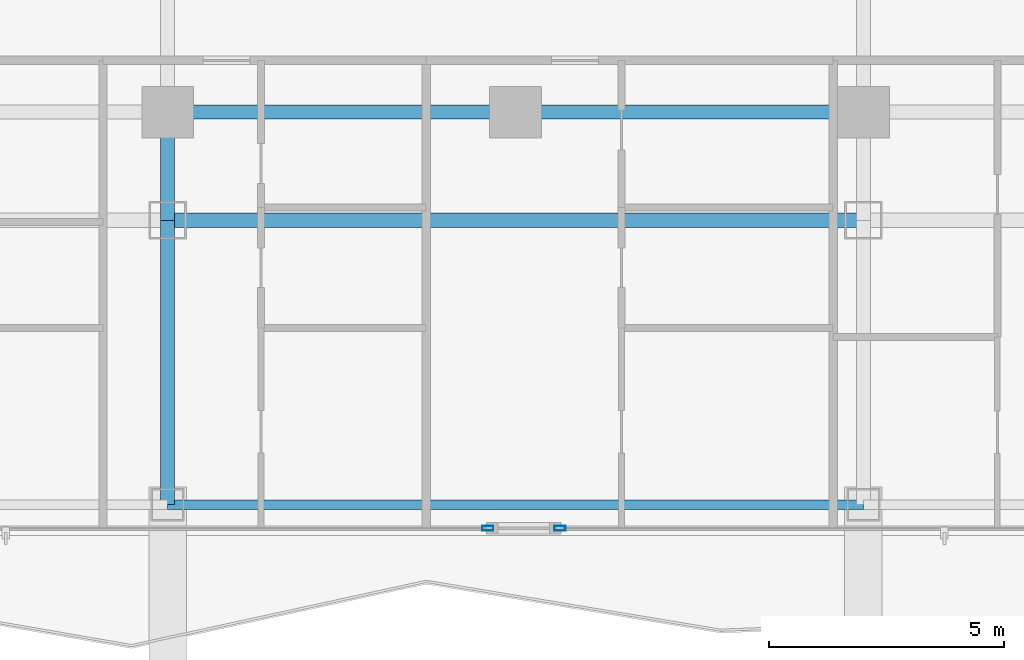
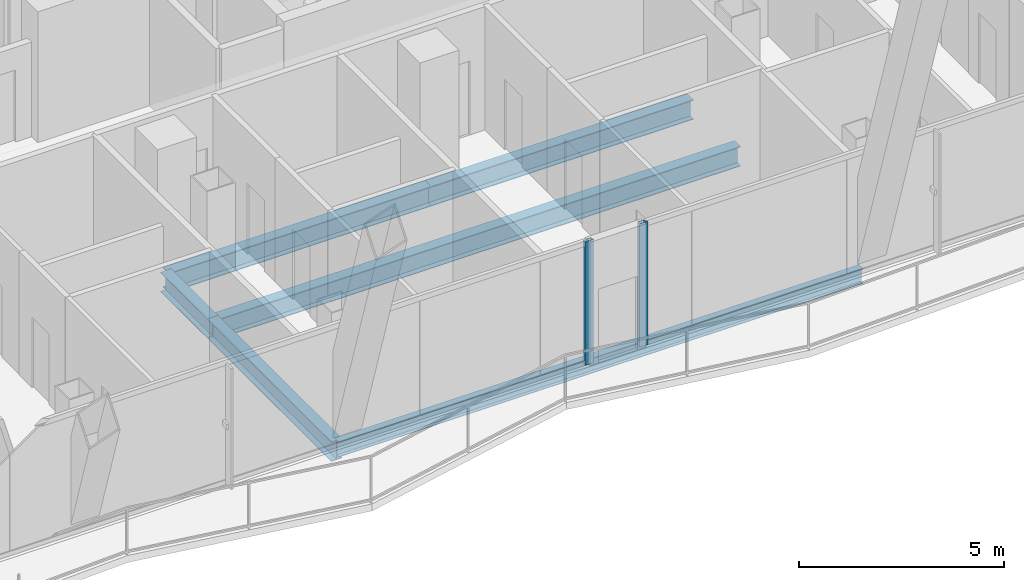
# One storey, part 6 of 34: 6 beams, 2 members, 2 elements without a shape of their own.
"""IFC4 building model written with IfcOpenShell, lengths in metres."""

from ifc_helpers import new_model, si_unit, direction, frame, origin, origin_2d, place, context, subcontext, project, spatial, hollow_rectangle, i_section, extrude, material, layer, layer_set, material_profile, profile_set, type_object, element, aggregate, save


model = new_model("IFC4")

# Units and contexts
model_context = context("Model", 3, precision=1e-05, world=origin(), true_north=direction((0.0, 1.0)))
body_context = subcontext(model_context, "Body", "Model", "MODEL_VIEW")
ifc_project = project(units=[si_unit("LENGTHUNIT", "METRE"), si_unit("AREAUNIT", "SQUARE_METRE"), si_unit("VOLUMEUNIT", "CUBIC_METRE"), si_unit("PLANEANGLEUNIT", "RADIAN"), si_unit("MASSUNIT", "GRAM", prefix="KILO")], contexts=[model_context])

# Site, building, storey
site_placement = place(None, origin())
site = spatial("IfcSite", under=ifc_project, at=site_placement, CompositionType="ELEMENT")
building_placement = place(site_placement, origin())
building = spatial("IfcBuilding", under=site, at=building_placement, Name="Khorvyn Point Tower", CompositionType="ELEMENT")
storey_placement = place(building_placement, frame((0.0, 0.0, 175.800048828125)))
storey = spatial("IfcBuildingStorey", under=building, at=storey_placement, Name="L43", CompositionType="ELEMENT", Elevation=175.800048828125)

# Curtain wall, member
ifc_material_1 = material(Name="Anodised aluminium 6063-T6 and laminated Low-E glass", Category="aluminium")
ifc_layer = layer(ifc_material_1, 0.18994140625)
ifc_layer_set = layer_set([ifc_layer], Name="Stick-Built Acoustic Curtain Wall CW-SYS-03")
curtain_wall_type = type_object("IfcCurtainWallType", Name="Stick-Built Acoustic Curtain Wall CW-SYS-03", PredefinedType="NOTDEFINED", material=ifc_layer_set)
curtain_wall_1_placement = place(storey_placement, origin())
curtain_wall_1 = element("IfcCurtainWall", 1, at=curtain_wall_1_placement, inside=storey, type_object=curtain_wall_type, Name="Curtain Wall", PredefinedType="NOTDEFINED")
ifc_material_2 = material(Name="Anodised aluminium 6063-T6", Category="aluminium")
ifc_material_profile_1 = material_profile(ifc_material_2, hollow_rectangle(XDim=0.10009765625, YDim=0.239990234375, WallThickness=0.0048828125, at=origin_2d()))
ifc_profile_set_1 = profile_set([ifc_material_profile_1], Name="Anodised aluminium 6063-T6 ALU-MUL-100x240")
member_type = type_object("IfcMemberType", Name="Anodised Aluminium 6063-T6 Mullion ALU-MUL-100x240", PredefinedType="MULLION", material=ifc_profile_set_1)
member_1_placement = place(storey_placement, frame((0.947021484375, -23.64990234375, 0.0), z_axis=(0.0, 0.0, 1.0), x_axis=(0.0, -1.0, 0.0)))
member_1 = element("IfcMember", 2, at=member_1_placement, type_object=member_type, Name="Transom", PredefinedType="MULLION", context=body_context, shape_type="SweptSolid", body=[
    extrude(hollow_rectangle(XDim=0.10009765625, YDim=0.239990234375, WallThickness=0.0048828125, at=origin_2d()), origin(), (0.0, 0.0, 1.0), 3.679931640625),
])
aggregate(curtain_wall_1, [member_1])

curtain_wall_2_placement = place(storey_placement, origin())
curtain_wall_2 = element("IfcCurtainWall", 3, at=curtain_wall_2_placement, inside=storey, type_object=curtain_wall_type, Name="Curtain Wall", PredefinedType="NOTDEFINED")
member_2_placement = place(storey_placement, frame((-0.593017578125, -23.64990234375, 0.0), z_axis=(0.0, 0.0, 1.0), x_axis=(0.0, -1.0, 0.0)))
member_2 = element("IfcMember", 4, at=member_2_placement, type_object=member_type, Name="Transom", PredefinedType="MULLION", context=body_context, shape_type="SweptSolid", body=[
    extrude(hollow_rectangle(XDim=0.10009765625, YDim=0.239990234375, WallThickness=0.0048828125, at=origin_2d()), origin(), (0.0, 0.0, 1.0), 3.679931640625),
])
aggregate(curtain_wall_2, [member_2])

# Beams
ifc_material_3 = material(Name="Steel S355", Category="steel")
ifc_material_profile_2 = material_profile(ifc_material_3, i_section(OverallWidth=0.300048828125, OverallDepth=0.587890625, WebThickness=0.011962890625, FlangeThickness=0.02001953125, at=origin_2d()))
ifc_profile_set_2 = profile_set([ifc_material_profile_2], Name="Steel S355 H588x300x12x20")
beam_type_1 = type_object("IfcBeamType", Name="Steel S355 Beam H588x300x12x20", PredefinedType="BEAM", material=ifc_profile_set_2)
for number, where, z_axis, x_axis, name in (
    (5, (-7.39990234375, -14.800048828125, -0.51416015625), (1.0, 0.0, 0.0), (0.0, 1.0, 0.0), "Beam"),
    (6, (0.0, -14.800048828125, -0.51416015625), (1.0, 0.0, 0.0), (0.0, 1.0, 0.0), "Beam"),
):
    element("IfcBeam", number, at=place(storey_placement, frame(where, z_axis=z_axis, x_axis=x_axis)), inside=storey, type_object=beam_type_1, Name=name, PredefinedType="BEAM", context=body_context, shape_type="SweptSolid", body=[
        extrude(i_section(OverallWidth=0.300048828125, OverallDepth=0.587890625, WebThickness=0.011962890625, FlangeThickness=0.02001953125, at=origin_2d()), origin(), (0.0, 0.0, 1.0), 7.39990234375),
    ])
beam_1_placement = place(storey_placement, frame((-7.39990234375, -17.10009765625, -0.51416015625), z_axis=(1.0, 0.0, 0.0), x_axis=(0.0, 1.0, 0.0)))
element("IfcBeam", 7, at=beam_1_placement, inside=storey, type_object=beam_type_1, Name="Beam", PredefinedType="BEAM", context=body_context, shape_type="SweptSolid", body=[
    extrude(i_section(OverallWidth=0.300048828125, OverallDepth=0.587890625, WebThickness=0.011962890625, FlangeThickness=0.02001953125, at=origin_2d()), origin(), (0.0, 0.0, 1.0), 14.7998046875),
])
beam_2_placement = place(storey_placement, frame((-7.39990234375, -23.14990234375, -0.51416015625), z_axis=(0.0, 1.0, 0.0), x_axis=(-1.0, 0.0, 0.0)))
element("IfcBeam", 8, at=beam_2_placement, inside=storey, type_object=beam_type_1, Name="Beam", PredefinedType="BEAM", context=body_context, shape_type="SweptSolid", body=[
    extrude(i_section(OverallWidth=0.300048828125, OverallDepth=0.587890625, WebThickness=0.011962890625, FlangeThickness=0.02001953125, at=origin_2d()), origin(), (0.0, 0.0, 1.0), 6.0498046875),
])
beam_3_placement = place(storey_placement, frame((-7.39990234375, -17.10009765625, -0.51416015625), z_axis=(0.0, 1.0, 0.0), x_axis=(-1.0, 0.0, 0.0)))
element("IfcBeam", 9, at=beam_3_placement, inside=storey, type_object=beam_type_1, Name="Beam", PredefinedType="BEAM", context=body_context, shape_type="SweptSolid", body=[
    extrude(i_section(OverallWidth=0.300048828125, OverallDepth=0.587890625, WebThickness=0.011962890625, FlangeThickness=0.02001953125, at=origin_2d()), origin(), (0.0, 0.0, 1.0), 2.300048828125),
])
ifc_material_profile_3 = material_profile(ifc_material_3, i_section(OverallWidth=0.199951171875, OverallDepth=0.449951171875, WebThickness=0.009033203125, FlangeThickness=0.013916015625, at=origin_2d()))
ifc_profile_set_3 = profile_set([ifc_material_profile_3], Name="Steel S355 H450x200x9x14")
beam_type_2 = type_object("IfcBeamType", Name="Steel S355 Spandrel H450x200x9x14", PredefinedType="SPANDREL", material=ifc_profile_set_3)
beam_4_placement = place(storey_placement, frame((-7.39990234375, -23.14990234375, -0.445068359375), z_axis=(1.0, 0.0, 0.0), x_axis=(0.0, 1.0, 0.0)))
element("IfcBeam", 10, at=beam_4_placement, inside=storey, type_object=beam_type_2, Name="Beam", PredefinedType="SPANDREL", context=body_context, shape_type="SweptSolid", body=[
    extrude(i_section(OverallWidth=0.199951171875, OverallDepth=0.449951171875, WebThickness=0.009033203125, FlangeThickness=0.013916015625, at=origin_2d()), origin(), (0.0, 0.0, 1.0), 14.7998046875),
])

save(model, "model.ifc")
